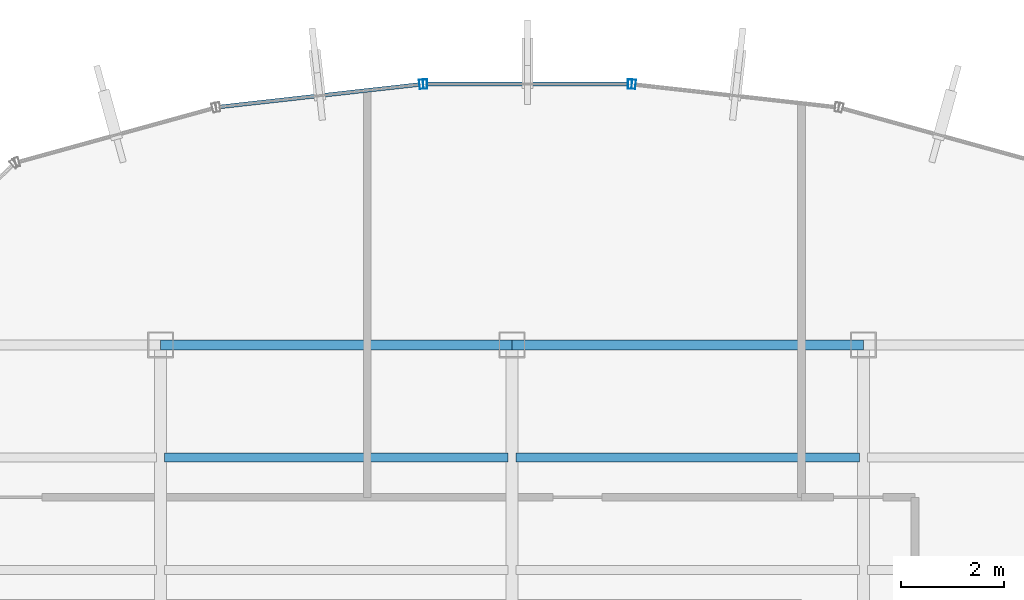
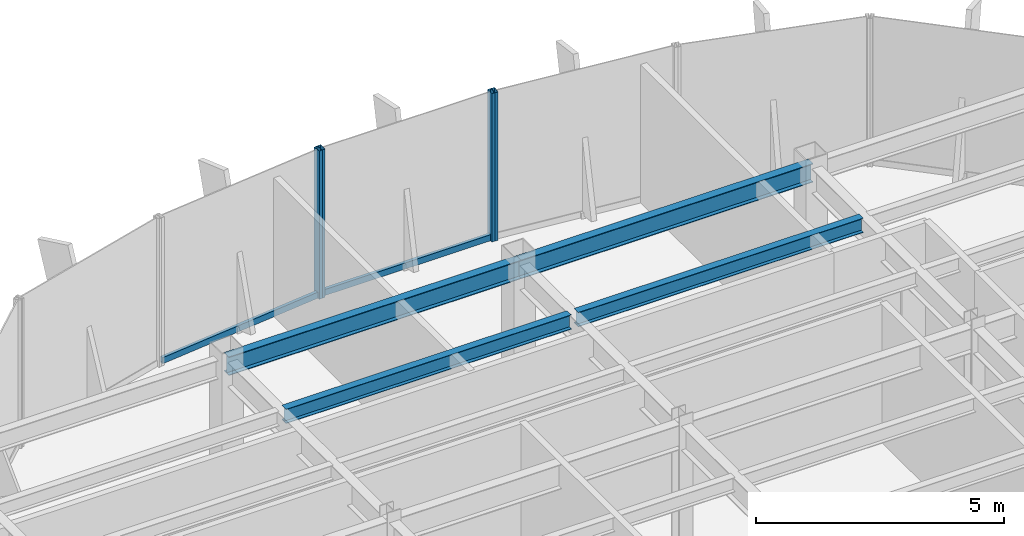
# One storey, part 13 of 22: 6 members, 4 beams, 3 elements without a shape of their own.
"""IFC4 building model written with IfcOpenShell, lengths in metres."""

from ifc_helpers import new_model, si_unit, derived_unit, direction, frame, origin, origin_2d, place, context, subcontext, project, spatial, hollow_rectangle, i_section, extrude, source, transform, mapped, material, material_profile, profile_set, type_object, element, aggregate, save


model = new_model("IFC4")

# Units and contexts
model_context = context("Model", 3, precision=1e-05, world=origin(), true_north=direction((0.0, 1.0)))
body_context = subcontext(model_context, "Body", "Model", "MODEL_VIEW")
ifc_project = project(units=[si_unit("LENGTHUNIT", "METRE"), si_unit("AREAUNIT", "SQUARE_METRE"), si_unit("VOLUMEUNIT", "CUBIC_METRE"), si_unit("PLANEANGLEUNIT", "RADIAN"), si_unit("MASSUNIT", "GRAM", prefix="KILO"), derived_unit("THERMALTRANSMITTANCEUNIT", [(si_unit("POWERUNIT", "WATT"), 1), (si_unit("LENGTHUNIT", "METRE"), -2), (si_unit("THERMODYNAMICTEMPERATUREUNIT", "KELVIN"), -1)])], contexts=[model_context])

# Site, building, storey
site_placement = place(None, origin())
site = spatial("IfcSite", under=ifc_project, at=site_placement, CompositionType="ELEMENT")
building_placement = place(site_placement, origin())
building = spatial("IfcBuilding", under=site, at=building_placement, Name="Skarnbrae Concourse Arena and Tower", CompositionType="ELEMENT")
storey_placement = place(building_placement, frame((0.0, 0.0, 225.10009765625)))
storey = spatial("IfcBuildingStorey", under=building, at=storey_placement, Name="L58", CompositionType="ELEMENT", Elevation=225.10009765625)

# Beams
ifc_material_1 = material(Name="Steel CSA G40.21 350W", Category="steel")
ifc_material_profile_1 = material_profile(ifc_material_1, i_section(OverallWidth=0.19091796875, OverallDepth=0.4599609375, WebThickness=0.010009765625, FlangeThickness=0.01611328125, at=origin_2d()), Name="W460X82")
ifc_profile_set_1 = profile_set([ifc_material_profile_1], Name="Steel CSA G40.21 350W")
beam_type_1 = type_object("IfcBeamType", Name="BM-SPAN-W460X82", PredefinedType="SPANDREL", material=ifc_profile_set_1)
shared_shape_1 = source(origin(), body_context, "Body", "SweptSolid", [
    extrude(i_section(OverallWidth=0.19091796875, OverallDepth=0.4599609375, WebThickness=0.010009765625, FlangeThickness=0.01611328125, at=origin_2d()), origin(), (0.0, 0.0, 1.0), 6.800048828125),
])
for number, where, z_axis, x_axis, name in (
    (1, (14.39990234375, 34.39990234375, 3.169921875), (1.0, 0.0, 0.0), (0.0, 1.0, 0.0), "L58 Perimeter spandrel Y34.4-2"),
    (2, (21.199951171875, 34.39990234375, 3.169921875), (1.0, 0.0, 0.0), (0.0, 1.0, 0.0), "L58 Perimeter spandrel Y34.4-3"),
):
    element("IfcBeam", number, at=place(storey_placement, frame(where, z_axis=z_axis, x_axis=x_axis)), inside=storey, type_object=beam_type_1, Name=name, PredefinedType="SPANDREL", context=body_context, shape_type="MappedRepresentation", body=[
        mapped(shared_shape_1, transform((0.0, 0.0, 0.0))),
    ])
ifc_material_profile_2 = material_profile(ifc_material_1, i_section(OverallWidth=0.1708984375, OverallDepth=0.35498046875, WebThickness=0.007080078125, FlangeThickness=0.01171875, at=origin_2d()), Name="W360X51")
ifc_profile_set_2 = profile_set([ifc_material_profile_2], Name="Steel CSA G40.21 350W")
beam_type_2 = type_object("IfcBeamType", Name="BM-JOIST-W360X51", PredefinedType="JOIST", material=ifc_profile_set_2)
shared_shape_2 = source(origin(), body_context, "Body", "SweptSolid", [
    extrude(i_section(OverallWidth=0.1708984375, OverallDepth=0.35498046875, WebThickness=0.007080078125, FlangeThickness=0.01171875, at=origin_2d()), origin(), (0.0, 0.0, 1.0), 6.64013671875),
])
beam_1_placement = place(storey_placement, frame((14.47998046875, 32.221923828125, 3.222412109375), z_axis=(1.0, 0.0, 0.0), x_axis=(0.0, 1.0, 0.0)))
element("IfcBeam", 3, at=beam_1_placement, inside=storey, type_object=beam_type_2, Name="L58 Secondary floor joist 3.2.2", PredefinedType="JOIST", context=body_context, shape_type="MappedRepresentation", body=[
    mapped(shared_shape_2, transform((0.0, 0.0, 0.0))),
])
shared_shape_3 = source(origin(), body_context, "Body", "SweptSolid", [
    extrude(i_section(OverallWidth=0.1708984375, OverallDepth=0.35498046875, WebThickness=0.007080078125, FlangeThickness=0.01171875, at=origin_2d()), origin(), (0.0, 0.0, 1.0), 6.639892578125),
])
beam_2_placement = place(storey_placement, frame((21.280029296875, 32.221923828125, 3.222412109375), z_axis=(1.0, 0.0, 0.0), x_axis=(0.0, 1.0, 0.0)))
element("IfcBeam", 4, at=beam_2_placement, inside=storey, type_object=beam_type_2, Name="L58 Secondary floor joist 3.2.3", PredefinedType="JOIST", context=body_context, shape_type="MappedRepresentation", body=[
    mapped(shared_shape_3, transform((0.0, 0.0, 0.0))),
])

# Curtain wall, member
ifc_material_2 = material(Name="Bronze anodised aluminium 6063-T6", Category="aluminium")
curtain_wall_type = type_object("IfcCurtainWallType", Name="CW-SYS-05-HIGHZONE", PredefinedType="USERDEFINED", material=ifc_material_2)
curtain_wall_1_placement = place(storey_placement, origin())
curtain_wall_1 = element("IfcCurtainWall", 5, at=curtain_wall_1_placement, inside=storey, type_object=curtain_wall_type, Name="L58 Unitised curtain wall CW-L58-E10", ObjectType="UNITISED CURTAIN WALL", PredefinedType="USERDEFINED")
ifc_material_profile_3 = material_profile(ifc_material_2, hollow_rectangle(XDim=0.074951171875, YDim=0.179931640625, WallThickness=0.00390625, at=origin_2d()), Name="ALU-MULL-75X180")
ifc_profile_set_3 = profile_set([ifc_material_profile_3], Name="Bronze anodised aluminium 6063-T6")
member_type_1 = type_object("IfcMemberType", Name="CWM-CW-05", PredefinedType="MULLION", material=ifc_profile_set_3)
shared_shape_4 = source(origin(), body_context, "Body", "SweptSolid", [
    extrude(hollow_rectangle(XDim=0.074951171875, YDim=0.179931640625, WallThickness=0.00390625, at=origin_2d()), origin(), (0.0, 0.0, 1.0), 3.64990234375),
])
member_1_placement = place(storey_placement, frame((23.554443359375, 39.4423828125, 0.0), z_axis=(0.0, 0.0, 1.0), x_axis=(-0.993768891873, 0.111460259941, 0.0)))
member_1 = element("IfcMember", 6, at=member_1_placement, type_object=member_type_1, Name="CW-L58-E10 Mullion 2", PredefinedType="MULLION", context=body_context, shape_type="MappedRepresentation", body=[
    mapped(shared_shape_4, transform((0.0, 0.0, 0.0))),
])
aggregate(curtain_wall_1, [member_1])

# Curtain wall, members
curtain_wall_2_placement = place(storey_placement, origin())
curtain_wall_2 = element("IfcCurtainWall", 7, at=curtain_wall_2_placement, inside=storey, type_object=curtain_wall_type, Name="L58 Unitised curtain wall CW-L58-E11", ObjectType="UNITISED CURTAIN WALL", PredefinedType="USERDEFINED")
member_2_placement = place(storey_placement, frame((23.479736328125, 39.44677734375, 0.0), z_axis=(0.0, 0.0, 1.0), x_axis=(-1.0, 0.0, 0.0)))
member_2 = element("IfcMember", 8, at=member_2_placement, type_object=member_type_1, Name="CW-L58-E11 Mullion 1", PredefinedType="MULLION", context=body_context, shape_type="MappedRepresentation", body=[
    mapped(shared_shape_4, transform((0.0, 0.0, 0.0))),
])
member_3_placement = place(storey_placement, frame((19.520263671875, 39.44677734375, 0.0), z_axis=(0.0, 0.0, 1.0), x_axis=(-1.0, 0.0, 0.0)))
member_3 = element("IfcMember", 9, at=member_3_placement, type_object=member_type_1, Name="CW-L58-E11 Mullion 2", PredefinedType="MULLION", context=body_context, shape_type="MappedRepresentation", body=[
    mapped(shared_shape_4, transform((0.0, 0.0, 0.0))),
])

curtain_wall_3_placement = place(storey_placement, origin())
curtain_wall_3 = element("IfcCurtainWall", 10, at=curtain_wall_3_placement, inside=storey, type_object=curtain_wall_type, Name="L58 Unitised curtain wall CW-L58-E12", ObjectType="UNITISED CURTAIN WALL", PredefinedType="USERDEFINED")
member_4_placement = place(storey_placement, frame((19.445556640625, 39.4423828125, 0.0), z_axis=(0.0, 0.0, 1.0), x_axis=(-0.993768891873, -0.111460259941, 0.0)))
member_4 = element("IfcMember", 11, at=member_4_placement, type_object=member_type_1, Name="CW-L58-E12 Mullion 1", PredefinedType="MULLION", context=body_context, shape_type="MappedRepresentation", body=[
    mapped(shared_shape_4, transform((0.0, 0.0, 0.0))),
])
ifc_material_profile_4 = material_profile(ifc_material_2, hollow_rectangle(XDim=0.074951171875, YDim=0.14990234375, WallThickness=0.00390625, at=origin_2d()), Name="ALU-TRAN-75X150")
ifc_profile_set_4 = profile_set([ifc_material_profile_4], Name="Bronze anodised aluminium 6063-T6")
member_type_2 = type_object("IfcMemberType", Name="CWT-CW-05", PredefinedType="USERDEFINED", material=ifc_profile_set_4)
shared_shape_5 = source(origin(), body_context, "Body", "SweptSolid", [
    extrude(hollow_rectangle(XDim=0.074951171875, YDim=0.14990234375, WallThickness=0.00390625, at=origin_2d()), origin(), (0.0, 0.0, 1.0), 3.8837890625),
])
member_5_placement = place(storey_placement, frame((19.408203125, 39.438232421875, 0.074951171875), z_axis=(-0.993776714154, -0.111390495128, 0.0), x_axis=(0.111390495128, -0.993776714154, 0.0)))
member_5 = element("IfcMember", 12, at=member_5_placement, type_object=member_type_2, Name="CW-L58-E12 Transom 1", ObjectType="TRANSOM", PredefinedType="USERDEFINED", context=body_context, shape_type="MappedRepresentation", body=[
    mapped(shared_shape_5, transform((0.0, 0.0, 0.0))),
])
aggregate(curtain_wall_3, [member_4, member_5])

# Member
shared_shape_6 = source(origin(), body_context, "Body", "SweptSolid", [
    extrude(hollow_rectangle(XDim=0.074951171875, YDim=0.14990234375, WallThickness=0.00390625, at=origin_2d()), origin(), (0.0, 0.0, 1.0), 3.88427734375),
])
member_6_placement = place(storey_placement, frame((23.442138671875, 39.44677734375, 0.074951171875), z_axis=(-1.0, 0.0, 0.0), x_axis=(0.0, -1.0, 0.0)))
member_6 = element("IfcMember", 13, at=member_6_placement, type_object=member_type_2, Name="CW-L58-E11 Transom 1", ObjectType="TRANSOM", PredefinedType="USERDEFINED", context=body_context, shape_type="MappedRepresentation", body=[
    mapped(shared_shape_6, transform((0.0, 0.0, 0.0))),
])

aggregate(curtain_wall_2, [member_2, member_3, member_6])

save(model, "model.ifc")
